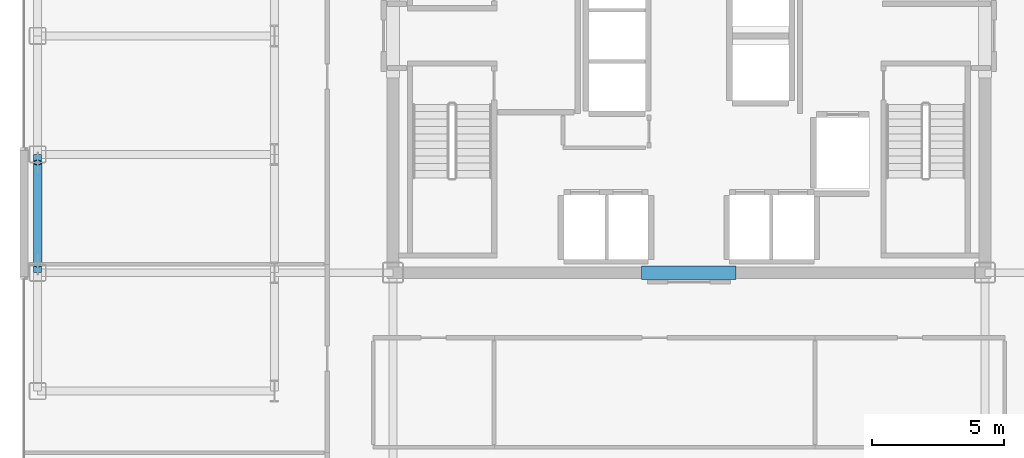
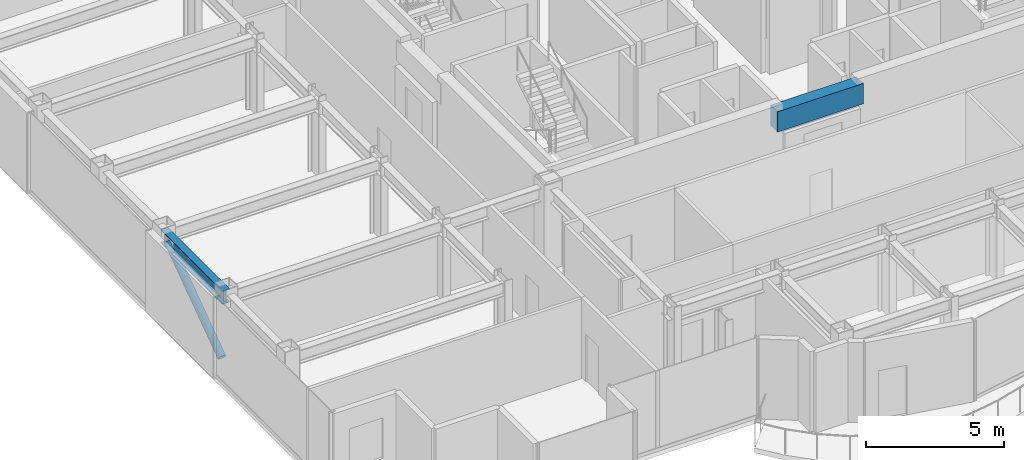
# One storey, part 4 of 22: 2 beams, 1 member.
"""IFC4 building model written with IfcOpenShell, lengths in metres."""

from ifc_helpers import new_model, si_unit, direction, frame, origin, origin_2d, place, context, subcontext, project, spatial, rectangle, hollow_circle, i_section, extrude, source, transform, mapped, material, material_profile, profile_set, type_object, element, save


model = new_model("IFC4")

# Units and contexts
model_context = context("Model", 3, precision=1e-05, world=origin(), true_north=direction((0.0, 1.0)))
body_context = subcontext(model_context, "Body", "Model", "MODEL_VIEW")
ifc_project = project(units=[si_unit("LENGTHUNIT", "METRE"), si_unit("AREAUNIT", "SQUARE_METRE"), si_unit("VOLUMEUNIT", "CUBIC_METRE"), si_unit("PLANEANGLEUNIT", "RADIAN"), si_unit("MASSUNIT", "GRAM", prefix="KILO")], contexts=[model_context])

# Site, building, storey
site_placement = place(None, origin())
site = spatial("IfcSite", under=ifc_project, at=site_placement, CompositionType="ELEMENT")
building_placement = place(site_placement, origin())
building = spatial("IfcBuilding", under=site, at=building_placement, Name="Nefas-Gora Pilgrimage Tower", CompositionType="ELEMENT")
storey_placement = place(building_placement, frame((0.0, 0.0, 240.800048828125)))
storey = spatial("IfcBuildingStorey", under=building, at=storey_placement, Name="L60", CompositionType="ELEMENT", Elevation=240.800048828125)

# Beams
ifc_material_1 = material(Name="Concrete C50/60", Category="concrete")
ifc_material_profile_1 = material_profile(ifc_material_1, rectangle(XDim=0.5, YDim=0.89990234375, at=origin_2d()), Name="RC 500x900")
ifc_profile_set_1 = profile_set([ifc_material_profile_1], Name="Concrete C50/60")
beam_type_1 = type_object("IfcBeamType", Name="BM-LIN-RC900", PredefinedType="LINTEL", material=ifc_profile_set_1)
shared_shape_1 = source(origin(), body_context, "Body", "SweptSolid", [
    extrude(rectangle(XDim=0.5, YDim=0.89990234375, at=origin_2d()), origin(), (0.0, 0.0, 1.0), 3.60009765625),
])
beam_1_placement = place(storey_placement, frame((-1.800048828125, -9.0, 3.099853515625), z_axis=(1.0, 0.0, 0.0), x_axis=(0.0, 1.0, 0.0)))
element("IfcBeam", 1, at=beam_1_placement, inside=storey, type_object=beam_type_1, Name="L60 Core Coupling Lintel Beam S", PredefinedType="LINTEL", context=body_context, shape_type="MappedRepresentation", body=[
    mapped(shared_shape_1, transform((0.0, 0.0, 0.0), x_axis=(1.0, 0.0, 0.0), y_axis=(0.0, 1.0, 0.0), z_axis=(0.0, 0.0, 1.0), scale=1.0)),
])
ifc_material_2 = material(Name="Steel S355", Category="steel")
ifc_material_profile_2 = material_profile(ifc_material_2, i_section(OverallWidth=0.300048828125, OverallDepth=0.60009765625, WebThickness=0.015380859375, FlangeThickness=0.030029296875, FilletRadius=0.027099609375, at=origin_2d()), Name="HEB 600")
ifc_profile_set_2 = profile_set([ifc_material_profile_2], Name="Steel S355")
beam_type_2 = type_object("IfcBeamType", Name="BM-SPN-HEB450", PredefinedType="SPANDREL", material=ifc_profile_set_2)
shared_shape_2 = source(origin(), body_context, "Body", "SweptSolid", [
    extrude(i_section(OverallWidth=0.300048828125, OverallDepth=0.60009765625, WebThickness=0.015380859375, FlangeThickness=0.030029296875, FilletRadius=0.027099609375, at=origin_2d()), origin(), (0.0, 0.0, 1.0), 4.5),
])
beam_2_placement = place(storey_placement, frame((-24.75, -9.0, 3.25), z_axis=(0.0, 1.0, 0.0), x_axis=(-1.0, 0.0, 0.0)))
element("IfcBeam", 2, at=beam_2_placement, inside=storey, type_object=beam_type_2, Name="L60 SP-03 beam", PredefinedType="SPANDREL", context=body_context, shape_type="MappedRepresentation", body=[
    mapped(shared_shape_2, transform((0.0, 0.0, 0.0), x_axis=(1.0, 0.0, 0.0), y_axis=(0.0, 1.0, 0.0), z_axis=(0.0, 0.0, 1.0), scale=1.0)),
])

# Member
ifc_material_profile_3 = material_profile(ifc_material_2, hollow_circle(Radius=0.161865234375, WallThickness=0.02001953125, at=origin_2d()), Name="CHS 323.9x20")
ifc_profile_set_3 = profile_set([ifc_material_profile_3], Name="Steel S355")
member_type = type_object("IfcMemberType", Name="MEM-TUBE-324", PredefinedType="BRACE", material=ifc_profile_set_3)
shared_shape_3 = source(origin(), body_context, "Body", "SweptSolid", [
    extrude(hollow_circle(Radius=0.161865234375, WallThickness=0.02001953125, at=origin_2d()), origin(), (0.0, 0.0, 1.0), 4.763671875),
])
member_placement = place(storey_placement, frame((-24.75, -8.68701171875, 0.3740234375), z_axis=(0.0, 0.813255312614, 0.581907034246), x_axis=(-1.0, 0.0, 0.0)))
element("IfcMember", 3, at=member_placement, inside=storey, type_object=member_type, Name="L60 Perimeter Tube Diagonal Brace W1", PredefinedType="BRACE", context=body_context, shape_type="MappedRepresentation", body=[
    mapped(shared_shape_3, transform((0.0, 0.0, 0.0), x_axis=(1.0, 0.0, 0.0), y_axis=(0.0, 1.0, 0.0), z_axis=(0.0, 0.0, 1.0), scale=1.0)),
])

save(model, "model.ifc")
